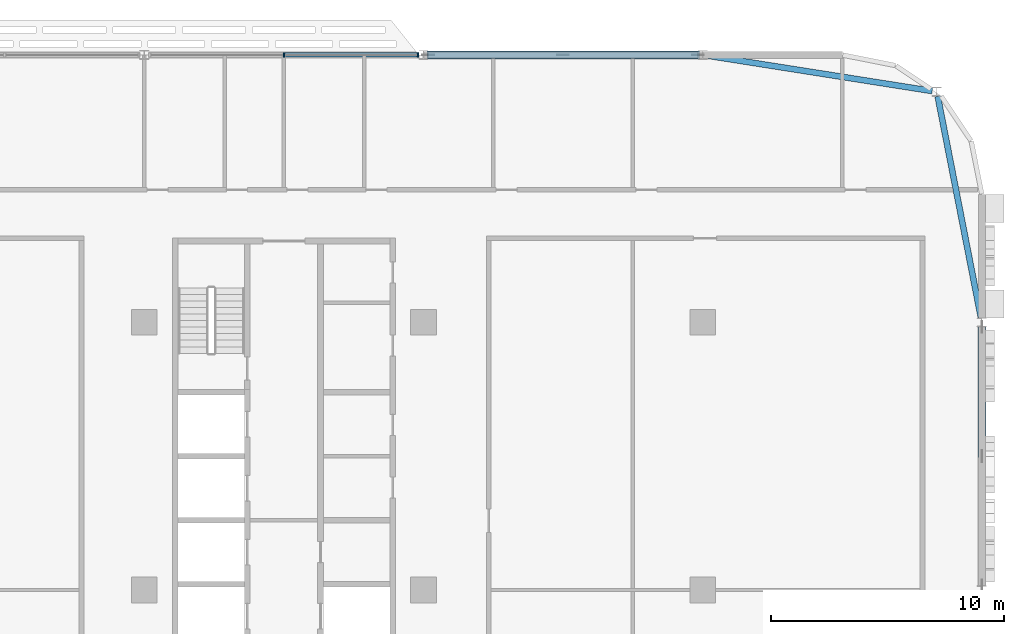
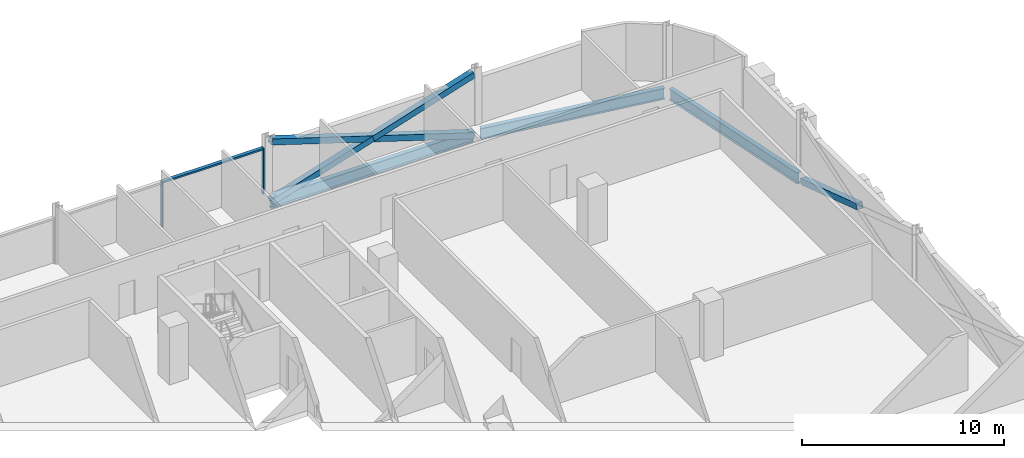
# One storey, part 11 of 30: 7 members, 3 beams, 1 element without a shape of its own.
"""IFC4 building model written with IfcOpenShell, lengths in metres."""

from ifc_helpers import new_model, si_unit, direction, frame, origin, origin_2d, place, context, subcontext, project, spatial, rectangle, hollow_rectangle, i_section, extrude, material, material_profile, profile_set, type_object, element, aggregate, save


model = new_model("IFC4")

# Units and contexts
model_context = context("Model", 3, precision=1e-05, world=origin(), true_north=direction((0.0, 1.0)))
body_context = subcontext(model_context, "Body", "Model", "MODEL_VIEW")
ifc_project = project(units=[si_unit("LENGTHUNIT", "METRE"), si_unit("AREAUNIT", "SQUARE_METRE"), si_unit("VOLUMEUNIT", "CUBIC_METRE"), si_unit("PLANEANGLEUNIT", "RADIAN"), si_unit("MASSUNIT", "GRAM", prefix="KILO")], contexts=[model_context])

# Site, building, storey
site_placement = place(None, origin())
site = spatial("IfcSite", under=ifc_project, at=site_placement, CompositionType="ELEMENT")
building_placement = place(site_placement, origin())
building = spatial("IfcBuilding", under=site, at=building_placement, Name="Mahtab Terrace Research Tower", CompositionType="ELEMENT")
storey_placement = place(building_placement, frame((0.0, 0.0, 216.699951171875)))
storey = spatial("IfcBuildingStorey", under=building, at=storey_placement, Name="L52", CompositionType="ELEMENT", Elevation=216.699951171875)

# Members
ifc_material_1 = material(Name="Steel ASTM A500 Gr C", Category="steel")
ifc_material_profile_1 = material_profile(ifc_material_1, hollow_rectangle(XDim=0.355712890625, YDim=0.355712890625, WallThickness=0.015869140625, at=origin_2d()), Name="HSS14X14X5/8")
ifc_profile_set_1 = profile_set([ifc_material_profile_1], Name="Steel ASTM A500 Gr C")
member_type_1 = type_object("IfcMemberType", Name="HSS 14x14x5/8 brace XB141458", PredefinedType="BRACE", material=ifc_profile_set_1)
member_1_placement = place(storey_placement, frame((41.79931640625, 23.0, -0.615478515625), z_axis=(-0.953343380425, 0.0, 0.301888057067), x_axis=(0.0, -1.0, 0.0)))
element("IfcMember", 1, at=member_1_placement, inside=storey, type_object=member_type_1, Name="Exoskeleton brace L52 02 a", PredefinedType="BRACE", context=body_context, shape_type="SweptSolid", body=[
    extrude(hollow_rectangle(XDim=0.355712890625, YDim=0.355712890625, WallThickness=0.015869140625, at=origin_2d()), origin(), (0.0, 0.0, 1.0), 12.166259765625),
])
for number, where, z_axis, x_axis, name in (
    (2, (30.20068359375, 23.0, -0.615478515625), (0.953343380425, 0.0, 0.301888057067), (0.0, 1.0, 0.0), "Exoskeleton brace L52 02 b1"),
    (3, (36.0, 23.0, 1.220947265625), (0.953343380425, 0.0, 0.301888057067), (0.0, 1.0, 0.0), "Exoskeleton brace L52 02 b2"),
):
    element("IfcMember", number, at=place(storey_placement, frame(where, z_axis=z_axis, x_axis=x_axis)), inside=storey, type_object=member_type_1, Name=name, PredefinedType="BRACE", context=body_context, shape_type="SweptSolid", body=[
        extrude(hollow_rectangle(XDim=0.355712890625, YDim=0.355712890625, WallThickness=0.015869140625, at=origin_2d()), origin(), (0.0, 0.0, 1.0), 6.083251953125),
    ])
member_2_placement = place(storey_placement, frame((54.0, 11.300537109375, -0.61328125), z_axis=(0.0, -0.949498689047, 0.313770998496), x_axis=(1.0, 0.0, 0.0)))
element("IfcMember", 4, at=member_2_placement, inside=storey, type_object=member_type_1, Name="Exoskeleton brace L52 23 b1", PredefinedType="BRACE", context=body_context, shape_type="SweptSolid", body=[
    extrude(hollow_rectangle(XDim=0.355712890625, YDim=0.355712890625, WallThickness=0.015869140625, at=origin_2d()), origin(), (0.0, 0.0, 1.0), 5.845703125),
])

# Curtain wall, members
ifc_material_2 = material(Name="Laboratory ribbon curtain wall")
curtain_wall_type = type_object("IfcCurtainWallType", Name="Laboratory ribbon curtain wall", PredefinedType="NOTDEFINED", material=ifc_material_2)
curtain_wall_placement = place(storey_placement, origin())
curtain_wall = element("IfcCurtainWall", 5, at=curtain_wall_placement, inside=storey, type_object=curtain_wall_type, Name="EN.L52.3.5", PredefinedType="NOTDEFINED")
ifc_material_3 = material(Name="Natural anodised aluminium", Category="aluminium")
ifc_material_profile_2 = material_profile(ifc_material_3, rectangle(XDim=0.199951171875, YDim=0.06494140625, at=origin_2d()), Name="MULLION 65x200")
ifc_profile_set_2 = profile_set([ifc_material_profile_2], Name="Natural anodised aluminium")
member_type_2 = type_object("IfcMemberType", Name="Laboratory ribbon curtain wall mullion", PredefinedType="MULLION", material=ifc_profile_set_2)
member_3_placement = place(storey_placement, frame((29.767578125, 23.0, 0.0), z_axis=(0.0, 0.0, 1.0), x_axis=(0.0, -1.0, 0.0)))
member_3 = element("IfcMember", 6, at=member_3_placement, type_object=member_type_2, Name="CWL-6 mullion 1", PredefinedType="MULLION", context=body_context, shape_type="SweptSolid", body=[
    extrude(rectangle(XDim=0.199951171875, YDim=0.06494140625, at=origin_2d()), origin(), (0.0, 0.0, 1.0), 2.78173828125),
])
member_4_placement = place(storey_placement, frame((24.0, 23.0, 0.0), z_axis=(0.0, 0.0, 1.0), x_axis=(0.0, -1.0, 0.0)))
member_4 = element("IfcMember", 7, at=member_4_placement, type_object=member_type_2, Name="CWL-6 mullion 2", PredefinedType="MULLION", context=body_context, shape_type="SweptSolid", body=[
    extrude(rectangle(XDim=0.199951171875, YDim=0.06494140625, at=origin_2d()), origin(), (0.0, 0.0, 1.0), 2.78173828125),
])
ifc_material_profile_3 = material_profile(ifc_material_3, rectangle(XDim=0.199951171875, YDim=0.10009765625, at=origin_2d()), Name="TRANSOM 100x200")
ifc_profile_set_3 = profile_set([ifc_material_profile_3], Name="Natural anodised aluminium")
member_type_3 = type_object("IfcMemberType", Name="Laboratory ribbon curtain wall transom", PredefinedType="USERDEFINED", material=ifc_profile_set_3)
member_5_placement = place(storey_placement, frame((29.735107421875, 23.0, 2.73193359375), z_axis=(-1.0, 0.0, 0.0), x_axis=(0.0, -1.0, 0.0)))
member_5 = element("IfcMember", 8, at=member_5_placement, type_object=member_type_3, Name="CWL-6 transom 1", ObjectType="TRANSOM", PredefinedType="USERDEFINED", context=body_context, shape_type="SweptSolid", body=[
    extrude(rectangle(XDim=0.199951171875, YDim=0.10009765625, at=origin_2d()), origin(), (0.0, 0.0, 1.0), 5.70263671875),
])
aggregate(curtain_wall, [member_3, member_4, member_5])

# Beams
ifc_material_4 = material(Name="Steel ASTM A992 Gr 50", Category="steel")
ifc_material_profile_4 = material_profile(ifc_material_4, i_section(OverallWidth=0.25390625, OverallDepth=0.67822265625, WebThickness=0.01171875, FlangeThickness=0.016357421875, at=origin_2d()), Name="W27X84")
ifc_profile_set_4 = profile_set([ifc_material_profile_4], Name="Steel ASTM A992 Gr 50")
beam_type = type_object("IfcBeamType", Name="W27x84 beam BS2784", PredefinedType="BEAM", material=ifc_profile_set_4)
beam_1_placement = place(storey_placement, frame((51.861328125, 21.447509765625, -0.678955078125), z_axis=(-0.987831689273, 0.155526697604, 0.0), x_axis=(-0.155526697604, -0.987831689273, 0.0)))
element("IfcBeam", 9, at=beam_1_placement, inside=storey, type_object=beam_type, Name="Spandrel beam L52 01", PredefinedType="BEAM", context=body_context, shape_type="SweptSolid", body=[
    extrude(i_section(OverallWidth=0.25390625, OverallDepth=0.67822265625, WebThickness=0.01171875, FlangeThickness=0.016357421875, at=origin_2d()), origin(), (0.0, 0.0, 1.0), 9.779541015625),
])
beam_2_placement = place(storey_placement, frame((41.79931640625, 23.0, -0.678955078125), z_axis=(-1.0, 0.0, 0.0), x_axis=(0.0, -1.0, 0.0)))
element("IfcBeam", 10, at=beam_2_placement, inside=storey, type_object=beam_type, Name="Spandrel beam L52 02", PredefinedType="BEAM", context=body_context, shape_type="SweptSolid", body=[
    extrude(i_section(OverallWidth=0.25390625, OverallDepth=0.67822265625, WebThickness=0.01171875, FlangeThickness=0.016357421875, at=origin_2d()), origin(), (0.0, 0.0, 1.0), 11.5986328125),
])
beam_3_placement = place(storey_placement, frame((53.9609375, 11.699462890625, -0.678955078125), z_axis=(-0.191795474732, 0.981434916779, 0.0), x_axis=(-0.981434916779, -0.191795474732, 0.0)))
element("IfcBeam", 11, at=beam_3_placement, inside=storey, type_object=beam_type, Name="Spandrel beam L52 24", PredefinedType="BEAM", context=body_context, shape_type="SweptSolid", body=[
    extrude(i_section(OverallWidth=0.25390625, OverallDepth=0.67822265625, WebThickness=0.01171875, FlangeThickness=0.016357421875, at=origin_2d()), origin(), (0.0, 0.0, 1.0), 9.697021484375),
])

save(model, "model.ifc")
